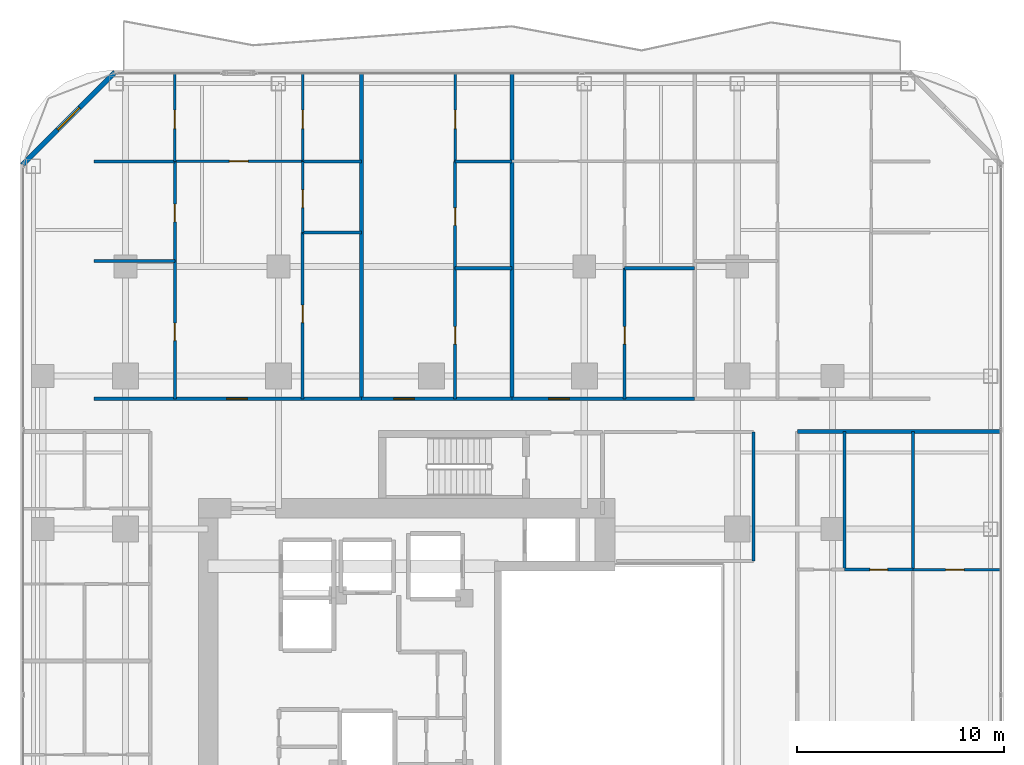
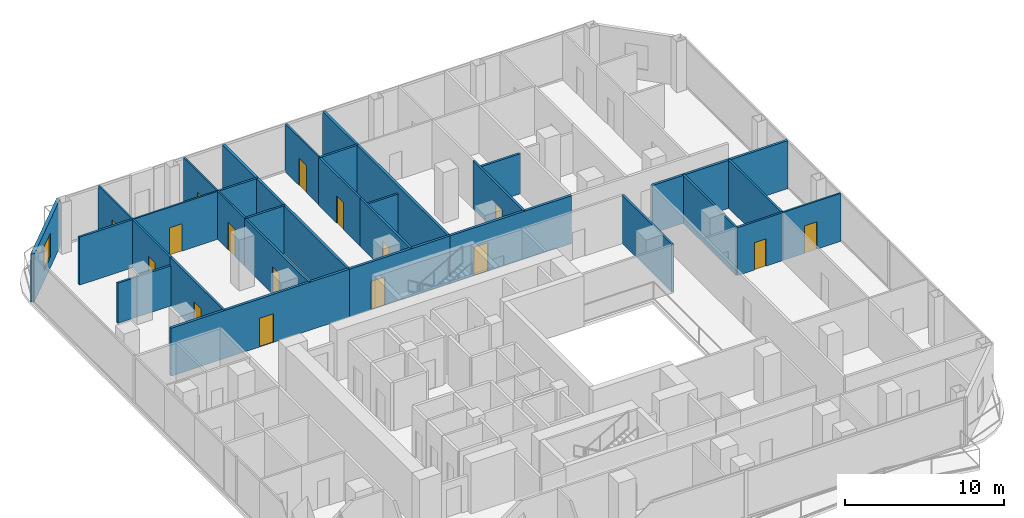
# One storey, part 22 of 26: 30 walls, 16 doors, 1 window, 17 openings.
"""IFC4 building model written with IfcOpenShell, lengths in metres."""

from ifc_helpers import new_model, si_unit, direction, frame, frame_2d, origin, place, context, subcontext, project, spatial, rectangle, extrude, material, layer, layer_set, type_object, element, fill, save


model = new_model("IFC4")

# Units and contexts
model_context = context("Model", 3, precision=1e-05, world=origin(), true_north=direction((0.0, 1.0)))
body_context = subcontext(model_context, "Body", "Model", "MODEL_VIEW")
ifc_project = project(units=[si_unit("LENGTHUNIT", "METRE"), si_unit("AREAUNIT", "SQUARE_METRE"), si_unit("VOLUMEUNIT", "CUBIC_METRE"), si_unit("PLANEANGLEUNIT", "RADIAN"), si_unit("MASSUNIT", "GRAM", prefix="KILO")], contexts=[model_context])

# Site, building, storey
site_placement = place(None, origin())
site = spatial("IfcSite", under=ifc_project, at=site_placement, CompositionType="ELEMENT")
building_placement = place(site_placement, origin())
building = spatial("IfcBuilding", under=site, at=building_placement, Name="Khorvyn Point Tower", CompositionType="ELEMENT")
storey_placement = place(building_placement, frame((0.0, 0.0, 113.39990234375)))
storey = spatial("IfcBuildingStorey", under=building, at=storey_placement, Name="L28", CompositionType="ELEMENT", Elevation=113.39990234375)

# Wall, opening, door
ifc_material_1 = material(Name="Double acoustic gypsum on twin steel stud", Category="steel")
ifc_layer_1 = layer(ifc_material_1, 0.179931640625)
ifc_layer_set_1 = layer_set([ifc_layer_1], Name="Acoustic Double-Stud Apartment Demising Wall 180")
wall_type_1 = type_object("IfcWallType", Name="Acoustic Double-Stud Apartment Demising Wall 180", PredefinedType="PARTITIONING", material=ifc_layer_set_1)
wall_1_placement = place(storey_placement, frame((-16.320068359375, 13.699951171875, 0.0), z_axis=(0.0, 0.0, 1.0), x_axis=(1.0, 0.0, 0.0)))
wall_1 = element("IfcWall", 1, at=wall_1_placement, inside=storey, type_object=wall_type_1, Name="Wall", PredefinedType="PARTITIONING", context=body_context, shape_type="SweptSolid", body=[
    extrude(rectangle(XDim=12.941162109375, YDim=0.179931640625, at=frame_2d((6.470703125, 0.0))), origin(), (0.0, 0.0, 1.0), 3.68017578125),
])
opening_1_placement = place(wall_1_placement, frame((6.41748046875, 0.0, 0.0)))
opening_1 = element("IfcOpeningElement", 2, at=opening_1_placement, cuts=wall_1, Name="Opening ID-AP60", PredefinedType="OPENING", context=body_context, shape_type="SweptSolid", body=[
    extrude(rectangle(XDim=1.0, YDim=2.199951171875, at=frame_2d((0.5, 1.10009765625))), frame((0.0, 0.099853515625, 0.0), z_axis=(0.0, -1.0, 0.0), x_axis=(1.0, 0.0, 0.0)), (0.0, 0.0, 1.0), 0.199951171875),
])
ifc_material_2 = material(Name="Engineered hardwood fire-rated leaf", Category="wood")
door_type_1 = type_object("IfcDoorType", Name="Acoustic Solid-Core Timber Apartment Entrance Door 1000x2200", OperationType="NOTDEFINED", PredefinedType="DOOR", material=ifc_material_2)
door_1_placement = place(opening_1_placement, origin())
door_1 = element("IfcDoor", 3, at=door_1_placement, inside=storey, type_object=door_type_1, Name="Door", OperationType="SINGLE_SWING_RIGHT", OverallHeight=2.199951171875, OverallWidth=1.0, PredefinedType="DOOR", context=body_context, shape_type="SweptSolid", body=[
    extrude(rectangle(XDim=1.0, YDim=2.199951171875, at=frame_2d((0.5, 1.10009765625))), frame((0.0, 0.02490234375, 0.0), z_axis=(0.0, -1.0, 0.0), x_axis=(1.0, 0.0, 0.0)), (0.0, 0.0, 1.0), 0.050048828125),
])
fill(opening_1, door_1)

wall_2_placement = place(storey_placement, frame((-3.37890625, 13.699951171875, 0.0), z_axis=(0.0, 0.0, 1.0), x_axis=(1.0, 0.0, 0.0)))
wall_2 = element("IfcWall", 4, at=wall_2_placement, inside=storey, type_object=wall_type_1, Name="Wall", PredefinedType="PARTITIONING", context=body_context, shape_type="SweptSolid", body=[
    extrude(rectangle(XDim=7.27880859375, YDim=0.179931640625, at=frame_2d((3.639404296875, 0.0))), origin(), (0.0, 0.0, 1.0), 3.68017578125),
])
opening_2_placement = place(wall_2_placement, frame((1.56201171875, 0.0, 0.0)))
opening_2 = element("IfcOpeningElement", 5, at=opening_2_placement, cuts=wall_2, Name="Opening ID-AP60", PredefinedType="OPENING", context=body_context, shape_type="SweptSolid", body=[
    extrude(rectangle(XDim=1.0, YDim=2.199951171875, at=frame_2d((0.5, 1.10009765625))), frame((0.0, 0.099853515625, 0.0), z_axis=(0.0, -1.0, 0.0), x_axis=(1.0, 0.0, 0.0)), (0.0, 0.0, 1.0), 0.199951171875),
])
door_2_placement = place(opening_2_placement, origin())
door_2 = element("IfcDoor", 6, at=door_2_placement, inside=storey, type_object=door_type_1, Name="Door", OperationType="SINGLE_SWING_RIGHT", OverallHeight=2.199951171875, OverallWidth=1.0, PredefinedType="DOOR", context=body_context, shape_type="SweptSolid", body=[
    extrude(rectangle(XDim=1.0, YDim=2.199951171875, at=frame_2d((0.5, 1.10009765625))), frame((0.0, 0.02490234375, 0.0), z_axis=(0.0, -1.0, 0.0), x_axis=(1.0, 0.0, 0.0)), (0.0, 0.0, 1.0), 0.050048828125),
])
fill(opening_2, door_2)

wall_3_placement = place(storey_placement, frame((3.89990234375, 13.699951171875, 0.0), z_axis=(0.0, 0.0, 1.0), x_axis=(1.0, 0.0, 0.0)))
wall_3 = element("IfcWall", 7, at=wall_3_placement, inside=storey, type_object=wall_type_1, Name="Wall", PredefinedType="PARTITIONING", context=body_context, shape_type="SweptSolid", body=[
    extrude(rectangle(XDim=8.836181640625, YDim=0.179931640625, at=frame_2d((4.41796875, 0.0))), origin(), (0.0, 0.0, 1.0), 3.68017578125),
])
opening_3_placement = place(wall_3_placement, frame((1.7705078125, 0.0, 0.0)))
opening_3 = element("IfcOpeningElement", 8, at=opening_3_placement, cuts=wall_3, Name="Opening ID-AP60", PredefinedType="OPENING", context=body_context, shape_type="SweptSolid", body=[
    extrude(rectangle(XDim=1.0, YDim=2.199951171875, at=frame_2d((0.5, 1.10009765625))), frame((0.0, 0.099853515625, 0.0), z_axis=(0.0, -1.0, 0.0), x_axis=(1.0, 0.0, 0.0)), (0.0, 0.0, 1.0), 0.199951171875),
])
door_3_placement = place(opening_3_placement, origin())
door_3 = element("IfcDoor", 9, at=door_3_placement, inside=storey, type_object=door_type_1, Name="Door", OperationType="SINGLE_SWING_RIGHT", OverallHeight=2.199951171875, OverallWidth=1.0, PredefinedType="DOOR", context=body_context, shape_type="SweptSolid", body=[
    extrude(rectangle(XDim=1.0, YDim=2.199951171875, at=frame_2d((0.5, 1.10009765625))), frame((0.0, 0.02490234375, 0.0), z_axis=(0.0, -1.0, 0.0), x_axis=(1.0, 0.0, 0.0)), (0.0, 0.0, 1.0), 0.050048828125),
])
fill(opening_3, door_3)

# Walls
for number, where, z_axis, x_axis, name in (
    (10, (-3.37890625, 13.699951171875, 0.0), (0.0, 0.0, 1.0), (0.0, 1.0, 0.0), "Wall"),
    (11, (3.89990234375, 13.699951171875, 0.0), (0.0, 0.0, 1.0), (0.0, 1.0, 0.0), "Wall"),
):
    element("IfcWall", number, at=place(storey_placement, frame(where, z_axis=z_axis, x_axis=x_axis)), inside=storey, type_object=wall_type_1, Name=name, PredefinedType="PARTITIONING", context=body_context, shape_type="SweptSolid", body=[
        extrude(rectangle(XDim=15.72998046875, YDim=0.179931640625, at=frame_2d((7.864990234375, 0.0))), origin(), (0.0, 0.0, 1.0), 3.68017578125),
    ])
wall_4_placement = place(storey_placement, frame((17.699951171875, 12.1201171875, 0.0), z_axis=(0.0, 0.0, 1.0), x_axis=(1.0, 0.0, 0.0)))
element("IfcWall", 12, at=wall_4_placement, inside=storey, type_object=wall_type_1, Name="Wall", PredefinedType="PARTITIONING", context=body_context, shape_type="SweptSolid", body=[
    extrude(rectangle(XDim=9.830078125, YDim=0.179931640625, at=frame_2d((4.9150390625, 0.0))), origin(), (0.0, 0.0, 1.0), 3.68017578125),
])

# Wall, opening, window
ifc_material_3 = material(Name="Pale anodised aluminium rainscreen on steel stud", Category="steel")
ifc_layer_2 = layer(ifc_material_3, 0.239990234375)
ifc_layer_set_2 = layer_set([ifc_layer_2], Name="Anodised Aluminium Insulated Corner Spandrel Wall 240")
wall_type_2 = type_object("IfcWallType", Name="Anodised Aluminium Insulated Corner Spandrel Wall 240", PredefinedType="SOLIDWALL", material=ifc_layer_set_2)
wall_5_placement = place(storey_placement, frame((-19.79248046875, 25.007568359375, 0.0), z_axis=(0.0, 0.0, 1.0), x_axis=(0.707106781187, 0.707106781187, 0.0)))
wall_5 = element("IfcWall", 13, at=wall_5_placement, inside=storey, type_object=wall_type_2, Name="L28 Rounded Corner Wall NW", PredefinedType="SOLIDWALL", context=body_context, shape_type="SweptSolid", body=[
    extrude(rectangle(XDim=6.342529296875, YDim=0.239990234375, at=frame_2d((3.17138671875, 0.0))), origin(), (0.0, 0.0, 1.0), 3.68017578125),
])
opening_4_placement = place(wall_5_placement, frame((2.42138671875, 0.0, 0.800048828125)))
opening_4 = element("IfcOpeningElement", 14, at=opening_4_placement, cuts=wall_5, Name="Opening WN-1518", PredefinedType="OPENING", context=body_context, shape_type="SweptSolid", body=[
    extrude(rectangle(XDim=1.5, YDim=1.85009765625, at=frame_2d((0.75, 0.925048828125))), frame((0.0, 0.1298828125, 0.0), z_axis=(0.0, -1.0, 0.0), x_axis=(1.0, 0.0, 0.0)), (0.0, 0.0, 1.0), 0.260009765625),
])
ifc_material_4 = material(Name="Anodised aluminium 6063-T6 and laminated Low-E glass", Category="aluminium")
window_type = type_object("IfcWindowType", Name="Anodised Aluminium Rounded-Corner Panoramic Window 1500x1850", PartitioningType="SINGLE_PANEL", PredefinedType="WINDOW", material=ifc_material_4)
window_placement = place(opening_4_placement, origin())
window = element("IfcWindow", 15, at=window_placement, inside=storey, type_object=window_type, Name="L28 Corner Panoramic Window NW", OverallHeight=1.85009765625, OverallWidth=1.5, PartitioningType="SINGLE_PANEL", PredefinedType="WINDOW", context=body_context, shape_type="SweptSolid", body=[
    extrude(rectangle(XDim=1.5, YDim=1.85009765625, at=frame_2d((0.75, 0.925048828125))), frame((0.0, 0.030029296875, 0.0), z_axis=(0.0, -1.0, 0.0), x_axis=(1.0, 0.0, 0.0)), (0.0, 0.0, 1.0), 0.06005859375),
])
fill(opening_4, window)

# Wall, opening, door
ifc_material_5 = material(Name="Gypsum plasterboard on steel stud", Category="steel")
ifc_layer_3 = layer(ifc_material_5, 0.1201171875)
ifc_layer_set_3 = layer_set([ifc_layer_3], Name="Gypsum Acoustic Stud Room Partition Wall 120")
wall_type_3 = type_object("IfcWallType", Name="Gypsum Acoustic Stud Room Partition Wall 120", PredefinedType="PARTITIONING", material=ifc_layer_set_3)
wall_6_placement = place(storey_placement, frame((-12.407958984375, 25.18994140625, 0.0), z_axis=(0.0, 0.0, 1.0), x_axis=(1.0, 0.0, 0.0)))
wall_6 = element("IfcWall", 16, at=wall_6_placement, inside=storey, type_object=wall_type_3, Name="Wall", PredefinedType="PARTITIONING", context=body_context, shape_type="SweptSolid", body=[
    extrude(rectangle(XDim=6.178955078125, YDim=0.1201171875, at=frame_2d((3.08935546875, 0.0))), origin(), (0.0, 0.0, 1.0), 3.68017578125),
])
opening_5_placement = place(wall_6_placement, frame((2.639404296875, 0.0, 0.0)))
opening_5 = element("IfcOpeningElement", 17, at=opening_5_placement, cuts=wall_6, Name="Opening ID-RM90", PredefinedType="OPENING", context=body_context, shape_type="SweptSolid", body=[
    extrude(rectangle(XDim=0.89990234375, YDim=2.10009765625, at=frame_2d((0.449951171875, 1.050048828125))), frame((0.0, 0.070068359375, 0.0), z_axis=(0.0, -1.0, 0.0), x_axis=(1.0, 0.0, 0.0)), (0.0, 0.0, 1.0), 0.14013671875),
])
ifc_material_6 = material(Name="Engineered oak veneer timber", Category="wood")
door_type_2 = type_object("IfcDoorType", Name="Flush Engineered Timber Room Door 900x2100", OperationType="NOTDEFINED", PredefinedType="DOOR", material=ifc_material_6)
door_4_placement = place(opening_5_placement, origin())
door_4 = element("IfcDoor", 18, at=door_4_placement, inside=storey, type_object=door_type_2, Name="Door", OperationType="SINGLE_SWING_LEFT", OverallHeight=2.10009765625, OverallWidth=0.89990234375, PredefinedType="DOOR", context=body_context, shape_type="SweptSolid", body=[
    extrude(rectangle(XDim=0.89990234375, YDim=2.10009765625, at=frame_2d((0.449951171875, 1.050048828125))), frame((0.0, 0.02490234375, 0.0), z_axis=(0.0, -1.0, 0.0), x_axis=(1.0, 0.0, 0.0)), (0.0, 0.0, 1.0), 0.050048828125),
])
fill(opening_5, door_4)

wall_7_placement = place(storey_placement, frame((-12.407958984375, 25.18994140625, 0.0), z_axis=(0.0, 0.0, 1.0), x_axis=(0.0, 1.0, 0.0)))
wall_7 = element("IfcWall", 19, at=wall_7_placement, inside=storey, type_object=wall_type_3, Name="Wall", PredefinedType="PARTITIONING", context=body_context, shape_type="SweptSolid", body=[
    extrude(rectangle(XDim=4.239990234375, YDim=0.1201171875, at=frame_2d((2.1201171875, 0.0))), origin(), (0.0, 0.0, 1.0), 3.68017578125),
])
opening_6_placement = place(wall_7_placement, frame((1.581298828125, 0.0, 0.0)))
opening_6 = element("IfcOpeningElement", 20, at=opening_6_placement, cuts=wall_7, Name="Opening ID-RM90", PredefinedType="OPENING", context=body_context, shape_type="SweptSolid", body=[
    extrude(rectangle(XDim=0.89990234375, YDim=2.10009765625, at=frame_2d((0.449951171875, 1.050048828125))), frame((0.0, 0.070068359375, 0.0), z_axis=(0.0, -1.0, 0.0), x_axis=(1.0, 0.0, 0.0)), (0.0, 0.0, 1.0), 0.14013671875),
])
door_5_placement = place(opening_6_placement, origin())
door_5 = element("IfcDoor", 21, at=door_5_placement, inside=storey, type_object=door_type_2, Name="Door", OperationType="SINGLE_SWING_RIGHT", OverallHeight=2.10009765625, OverallWidth=0.89990234375, PredefinedType="DOOR", context=body_context, shape_type="SweptSolid", body=[
    extrude(rectangle(XDim=0.89990234375, YDim=2.10009765625, at=frame_2d((0.449951171875, 1.050048828125))), frame((0.0, 0.02490234375, 0.0), z_axis=(0.0, -1.0, 0.0), x_axis=(1.0, 0.0, 0.0)), (0.0, 0.0, 1.0), 0.050048828125),
])
fill(opening_6, door_5)

wall_8_placement = place(storey_placement, frame((-6.22900390625, 21.742919921875, 0.0), z_axis=(0.0, 0.0, 1.0), x_axis=(0.0, 1.0, 0.0)))
wall_8 = element("IfcWall", 22, at=wall_8_placement, inside=storey, type_object=wall_type_3, Name="Wall", PredefinedType="PARTITIONING", context=body_context, shape_type="SweptSolid", body=[
    extrude(rectangle(XDim=3.447021484375, YDim=0.1201171875, at=frame_2d((1.7236328125, 0.0))), origin(), (0.0, 0.0, 1.0), 3.68017578125),
])
opening_7_placement = place(wall_8_placement, frame((1.2109375, 0.0, 0.0)))
opening_7 = element("IfcOpeningElement", 23, at=opening_7_placement, cuts=wall_8, Name="Opening ID-WC85", PredefinedType="OPENING", context=body_context, shape_type="SweptSolid", body=[
    extrude(rectangle(XDim=0.85009765625, YDim=2.10009765625, at=frame_2d((0.425048828125, 1.050048828125))), frame((0.0, 0.070068359375, 0.0), z_axis=(0.0, -1.0, 0.0), x_axis=(1.0, 0.0, 0.0)), (0.0, 0.0, 1.0), 0.14013671875),
])
ifc_material_7 = material(Name="High-pressure laminate on moisture-resistant core", Category="wood")
door_type_3 = type_object("IfcDoorType", Name="Moisture-Resistant Accessible Washroom Door 850x2100", OperationType="NOTDEFINED", PredefinedType="DOOR", material=ifc_material_7)
door_6_placement = place(opening_7_placement, origin())
door_6 = element("IfcDoor", 24, at=door_6_placement, inside=storey, type_object=door_type_3, Name="Door", OperationType="SINGLE_SWING_RIGHT", OverallHeight=2.10009765625, OverallWidth=0.85009765625, PredefinedType="DOOR", context=body_context, shape_type="SweptSolid", body=[
    extrude(rectangle(XDim=0.85009765625, YDim=2.10009765625, at=frame_2d((0.425048828125, 1.050048828125))), frame((0.0, 0.02490234375, 0.0), z_axis=(0.0, -1.0, 0.0), x_axis=(1.0, 0.0, 0.0)), (0.0, 0.0, 1.0), 0.050048828125),
])
fill(opening_7, door_6)

wall_9_placement = place(storey_placement, frame((-6.22900390625, 25.18994140625, 0.0), z_axis=(0.0, 0.0, 1.0), x_axis=(0.0, 1.0, 0.0)))
wall_9 = element("IfcWall", 25, at=wall_9_placement, inside=storey, type_object=wall_type_3, Name="Wall", PredefinedType="PARTITIONING", context=body_context, shape_type="SweptSolid", body=[
    extrude(rectangle(XDim=4.239990234375, YDim=0.1201171875, at=frame_2d((2.1201171875, 0.0))), origin(), (0.0, 0.0, 1.0), 3.68017578125),
])
opening_8_placement = place(wall_9_placement, frame((1.581298828125, 0.0, 0.0)))
opening_8 = element("IfcOpeningElement", 26, at=opening_8_placement, cuts=wall_9, Name="Opening ID-RM90", PredefinedType="OPENING", context=body_context, shape_type="SweptSolid", body=[
    extrude(rectangle(XDim=0.89990234375, YDim=2.10009765625, at=frame_2d((0.449951171875, 1.050048828125))), frame((0.0, 0.070068359375, 0.0), z_axis=(0.0, -1.0, 0.0), x_axis=(1.0, 0.0, 0.0)), (0.0, 0.0, 1.0), 0.14013671875),
])
door_7_placement = place(opening_8_placement, origin())
door_7 = element("IfcDoor", 27, at=door_7_placement, inside=storey, type_object=door_type_2, Name="Door", OperationType="SINGLE_SWING_LEFT", OverallHeight=2.10009765625, OverallWidth=0.89990234375, PredefinedType="DOOR", context=body_context, shape_type="SweptSolid", body=[
    extrude(rectangle(XDim=0.89990234375, YDim=2.10009765625, at=frame_2d((0.449951171875, 1.050048828125))), frame((0.0, 0.02490234375, 0.0), z_axis=(0.0, -1.0, 0.0), x_axis=(1.0, 0.0, 0.0)), (0.0, 0.0, 1.0), 0.050048828125),
])
fill(opening_8, door_7)

wall_10_placement = place(storey_placement, frame((1.14990234375, 25.18994140625, 0.0), z_axis=(0.0, 0.0, 1.0), x_axis=(0.0, 1.0, 0.0)))
wall_10 = element("IfcWall", 28, at=wall_10_placement, inside=storey, type_object=wall_type_3, Name="Wall", PredefinedType="PARTITIONING", context=body_context, shape_type="SweptSolid", body=[
    extrude(rectangle(XDim=4.239990234375, YDim=0.1201171875, at=frame_2d((2.1201171875, 0.0))), origin(), (0.0, 0.0, 1.0), 3.68017578125),
])
opening_9_placement = place(wall_10_placement, frame((1.581298828125, 0.0, 0.0)))
opening_9 = element("IfcOpeningElement", 29, at=opening_9_placement, cuts=wall_10, Name="Opening ID-RM90", PredefinedType="OPENING", context=body_context, shape_type="SweptSolid", body=[
    extrude(rectangle(XDim=0.89990234375, YDim=2.10009765625, at=frame_2d((0.449951171875, 1.050048828125))), frame((0.0, 0.070068359375, 0.0), z_axis=(0.0, -1.0, 0.0), x_axis=(1.0, 0.0, 0.0)), (0.0, 0.0, 1.0), 0.14013671875),
])
door_8_placement = place(opening_9_placement, origin())
door_8 = element("IfcDoor", 30, at=door_8_placement, inside=storey, type_object=door_type_2, Name="Door", OperationType="SINGLE_SWING_LEFT", OverallHeight=2.10009765625, OverallWidth=0.89990234375, PredefinedType="DOOR", context=body_context, shape_type="SweptSolid", body=[
    extrude(rectangle(XDim=0.89990234375, YDim=2.10009765625, at=frame_2d((0.449951171875, 1.050048828125))), frame((0.0, 0.02490234375, 0.0), z_axis=(0.0, -1.0, 0.0), x_axis=(1.0, 0.0, 0.0)), (0.0, 0.0, 1.0), 0.050048828125),
])
fill(opening_9, door_8)

wall_11_placement = place(storey_placement, frame((23.2900390625, 5.43603515625, 0.0), z_axis=(0.0, 0.0, 1.0), x_axis=(1.0, 0.0, 0.0)))
wall_11 = element("IfcWall", 31, at=wall_11_placement, inside=storey, type_object=wall_type_3, Name="Wall", PredefinedType="PARTITIONING", context=body_context, shape_type="SweptSolid", body=[
    extrude(rectangle(XDim=4.239990234375, YDim=0.1201171875, at=frame_2d((2.1201171875, 0.0))), origin(), (0.0, 0.0, 1.0), 3.68017578125),
])
opening_10_placement = place(wall_11_placement, frame((1.581298828125, 0.0, 0.0)))
opening_10 = element("IfcOpeningElement", 32, at=opening_10_placement, cuts=wall_11, Name="Opening ID-RM90", PredefinedType="OPENING", context=body_context, shape_type="SweptSolid", body=[
    extrude(rectangle(XDim=0.89990234375, YDim=2.10009765625, at=frame_2d((0.449951171875, 1.050048828125))), frame((0.0, 0.070068359375, 0.0), z_axis=(0.0, -1.0, 0.0), x_axis=(1.0, 0.0, 0.0)), (0.0, 0.0, 1.0), 0.14013671875),
])
door_9_placement = place(opening_10_placement, origin())
door_9 = element("IfcDoor", 33, at=door_9_placement, inside=storey, type_object=door_type_2, Name="Door", OperationType="SINGLE_SWING_RIGHT", OverallHeight=2.10009765625, OverallWidth=0.89990234375, PredefinedType="DOOR", context=body_context, shape_type="SweptSolid", body=[
    extrude(rectangle(XDim=0.89990234375, YDim=2.10009765625, at=frame_2d((0.449951171875, 1.050048828125))), frame((0.0, 0.02490234375, 0.0), z_axis=(0.0, -1.0, 0.0), x_axis=(1.0, 0.0, 0.0)), (0.0, 0.0, 1.0), 0.050048828125),
])
fill(opening_10, door_9)

ifc_material_8 = material(Name="Moisture-resistant gypsum and cement board", Category="gypsum")
ifc_layer_4 = layer(ifc_material_8, 0.14990234375)
ifc_layer_set_4 = layer_set([ifc_layer_4], Name="Moisture-Resistant Wet-Room Partition Wall 150")
wall_type_4 = type_object("IfcWallType", Name="Moisture-Resistant Wet-Room Partition Wall 150", PredefinedType="PARTITIONING", material=ifc_layer_set_4)
wall_12_placement = place(storey_placement, frame((-12.407958984375, 13.699951171875, 0.0), z_axis=(0.0, 0.0, 1.0), x_axis=(0.0, 1.0, 0.0)))
wall_12 = element("IfcWall", 34, at=wall_12_placement, inside=storey, type_object=wall_type_4, Name="Wall", PredefinedType="PARTITIONING", context=body_context, shape_type="SweptSolid", body=[
    extrude(rectangle(XDim=6.6640625, YDim=0.14990234375, at=frame_2d((3.33203125, 0.0))), origin(), (0.0, 0.0, 1.0), 3.68017578125),
])
opening_11_placement = place(wall_12_placement, frame((2.818359375, 0.0, 0.0)))
opening_11 = element("IfcOpeningElement", 35, at=opening_11_placement, cuts=wall_12, Name="Opening ID-WC85", PredefinedType="OPENING", context=body_context, shape_type="SweptSolid", body=[
    extrude(rectangle(XDim=0.85009765625, YDim=2.10009765625, at=frame_2d((0.425048828125, 1.050048828125))), frame((0.0, 0.0849609375, 0.0), z_axis=(0.0, -1.0, 0.0), x_axis=(1.0, 0.0, 0.0)), (0.0, 0.0, 1.0), 0.169921875),
])
door_10_placement = place(opening_11_placement, origin())
door_10 = element("IfcDoor", 36, at=door_10_placement, inside=storey, type_object=door_type_3, Name="Door", OperationType="SINGLE_SWING_RIGHT", OverallHeight=2.10009765625, OverallWidth=0.85009765625, PredefinedType="DOOR", context=body_context, shape_type="SweptSolid", body=[
    extrude(rectangle(XDim=0.85009765625, YDim=2.10009765625, at=frame_2d((0.425048828125, 1.050048828125))), frame((0.0, 0.02490234375, 0.0), z_axis=(0.0, -1.0, 0.0), x_axis=(1.0, 0.0, 0.0)), (0.0, 0.0, 1.0), 0.050048828125),
])
fill(opening_11, door_10)

wall_13_placement = place(storey_placement, frame((-12.407958984375, 20.364013671875, 0.0), z_axis=(0.0, 0.0, 1.0), x_axis=(0.0, 1.0, 0.0)))
wall_13 = element("IfcWall", 37, at=wall_13_placement, inside=storey, type_object=wall_type_4, Name="Wall", PredefinedType="PARTITIONING", context=body_context, shape_type="SweptSolid", body=[
    extrude(rectangle(XDim=4.825927734375, YDim=0.14990234375, at=frame_2d((2.4130859375, 0.0))), origin(), (0.0, 0.0, 1.0), 3.68017578125),
])
opening_12_placement = place(wall_13_placement, frame((1.90087890625, 0.0, 0.0)))
opening_12 = element("IfcOpeningElement", 38, at=opening_12_placement, cuts=wall_13, Name="Opening ID-WC85", PredefinedType="OPENING", context=body_context, shape_type="SweptSolid", body=[
    extrude(rectangle(XDim=0.85009765625, YDim=2.10009765625, at=frame_2d((0.425048828125, 1.050048828125))), frame((0.0, 0.0849609375, 0.0), z_axis=(0.0, -1.0, 0.0), x_axis=(1.0, 0.0, 0.0)), (0.0, 0.0, 1.0), 0.169921875),
])
door_11_placement = place(opening_12_placement, origin())
door_11 = element("IfcDoor", 39, at=door_11_placement, inside=storey, type_object=door_type_3, Name="Door", OperationType="SINGLE_SWING_LEFT", OverallHeight=2.10009765625, OverallWidth=0.85009765625, PredefinedType="DOOR", context=body_context, shape_type="SweptSolid", body=[
    extrude(rectangle(XDim=0.85009765625, YDim=2.10009765625, at=frame_2d((0.425048828125, 1.050048828125))), frame((0.0, 0.02490234375, 0.0), z_axis=(0.0, -1.0, 0.0), x_axis=(1.0, 0.0, 0.0)), (0.0, 0.0, 1.0), 0.050048828125),
])
fill(opening_12, door_11)

wall_14_placement = place(storey_placement, frame((-6.22900390625, 13.699951171875, 0.0), z_axis=(0.0, 0.0, 1.0), x_axis=(0.0, 1.0, 0.0)))
wall_14 = element("IfcWall", 40, at=wall_14_placement, inside=storey, type_object=wall_type_4, Name="Wall", PredefinedType="PARTITIONING", context=body_context, shape_type="SweptSolid", body=[
    extrude(rectangle(XDim=8.04296875, YDim=0.14990234375, at=frame_2d((4.021484375, 0.0))), origin(), (0.0, 0.0, 1.0), 3.68017578125),
])
opening_13_placement = place(wall_14_placement, frame((3.6845703125, 0.0, 0.0)))
opening_13 = element("IfcOpeningElement", 41, at=opening_13_placement, cuts=wall_14, Name="Opening ID-WC85", PredefinedType="OPENING", context=body_context, shape_type="SweptSolid", body=[
    extrude(rectangle(XDim=0.85009765625, YDim=2.10009765625, at=frame_2d((0.425048828125, 1.050048828125))), frame((0.0, 0.0849609375, 0.0), z_axis=(0.0, -1.0, 0.0), x_axis=(1.0, 0.0, 0.0)), (0.0, 0.0, 1.0), 0.169921875),
])
door_12_placement = place(opening_13_placement, origin())
door_12 = element("IfcDoor", 42, at=door_12_placement, inside=storey, type_object=door_type_3, Name="Door", OperationType="SINGLE_SWING_LEFT", OverallHeight=2.10009765625, OverallWidth=0.85009765625, PredefinedType="DOOR", context=body_context, shape_type="SweptSolid", body=[
    extrude(rectangle(XDim=0.85009765625, YDim=2.10009765625, at=frame_2d((0.425048828125, 1.050048828125))), frame((0.0, 0.02490234375, 0.0), z_axis=(0.0, -1.0, 0.0), x_axis=(1.0, 0.0, 0.0)), (0.0, 0.0, 1.0), 0.050048828125),
])
fill(opening_13, door_12)

wall_15_placement = place(storey_placement, frame((1.14990234375, 13.699951171875, 0.0), z_axis=(0.0, 0.0, 1.0), x_axis=(0.0, 1.0, 0.0)))
wall_15 = element("IfcWall", 43, at=wall_15_placement, inside=storey, type_object=wall_type_4, Name="Wall", PredefinedType="PARTITIONING", context=body_context, shape_type="SweptSolid", body=[
    extrude(rectangle(XDim=6.320068359375, YDim=0.14990234375, at=frame_2d((3.16015625, 0.0))), origin(), (0.0, 0.0, 1.0), 3.68017578125),
])
opening_14_placement = place(wall_15_placement, frame((2.646240234375, 0.0, 0.0)))
opening_14 = element("IfcOpeningElement", 44, at=opening_14_placement, cuts=wall_15, Name="Opening ID-WC85", PredefinedType="OPENING", context=body_context, shape_type="SweptSolid", body=[
    extrude(rectangle(XDim=0.85009765625, YDim=2.10009765625, at=frame_2d((0.425048828125, 1.050048828125))), frame((0.0, 0.0849609375, 0.0), z_axis=(0.0, -1.0, 0.0), x_axis=(1.0, 0.0, 0.0)), (0.0, 0.0, 1.0), 0.169921875),
])
door_13_placement = place(opening_14_placement, origin())
door_13 = element("IfcDoor", 45, at=door_13_placement, inside=storey, type_object=door_type_3, Name="Door", OperationType="SINGLE_SWING_LEFT", OverallHeight=2.10009765625, OverallWidth=0.85009765625, PredefinedType="DOOR", context=body_context, shape_type="SweptSolid", body=[
    extrude(rectangle(XDim=0.85009765625, YDim=2.10009765625, at=frame_2d((0.425048828125, 1.050048828125))), frame((0.0, 0.02490234375, 0.0), z_axis=(0.0, -1.0, 0.0), x_axis=(1.0, 0.0, 0.0)), (0.0, 0.0, 1.0), 0.050048828125),
])
fill(opening_14, door_13)

wall_16_placement = place(storey_placement, frame((1.14990234375, 20.02001953125, 0.0), z_axis=(0.0, 0.0, 1.0), x_axis=(0.0, 1.0, 0.0)))
wall_16 = element("IfcWall", 46, at=wall_16_placement, inside=storey, type_object=wall_type_4, Name="Wall", PredefinedType="PARTITIONING", context=body_context, shape_type="SweptSolid", body=[
    extrude(rectangle(XDim=5.169921875, YDim=0.14990234375, at=frame_2d((2.5849609375, 0.0))), origin(), (0.0, 0.0, 1.0), 3.68017578125),
])
opening_15_placement = place(wall_16_placement, frame((2.072998046875, 0.0, 0.0)))
opening_15 = element("IfcOpeningElement", 47, at=opening_15_placement, cuts=wall_16, Name="Opening ID-WC85", PredefinedType="OPENING", context=body_context, shape_type="SweptSolid", body=[
    extrude(rectangle(XDim=0.85009765625, YDim=2.10009765625, at=frame_2d((0.425048828125, 1.050048828125))), frame((0.0, 0.0849609375, 0.0), z_axis=(0.0, -1.0, 0.0), x_axis=(1.0, 0.0, 0.0)), (0.0, 0.0, 1.0), 0.169921875),
])
door_14_placement = place(opening_15_placement, origin())
door_14 = element("IfcDoor", 48, at=door_14_placement, inside=storey, type_object=door_type_3, Name="Door", OperationType="SINGLE_SWING_RIGHT", OverallHeight=2.10009765625, OverallWidth=0.85009765625, PredefinedType="DOOR", context=body_context, shape_type="SweptSolid", body=[
    extrude(rectangle(XDim=0.85009765625, YDim=2.10009765625, at=frame_2d((0.425048828125, 1.050048828125))), frame((0.0, 0.02490234375, 0.0), z_axis=(0.0, -1.0, 0.0), x_axis=(1.0, 0.0, 0.0)), (0.0, 0.0, 1.0), 0.050048828125),
])
fill(opening_15, door_14)

wall_17_placement = place(storey_placement, frame((9.35107421875, 13.699951171875, 0.0), z_axis=(0.0, 0.0, 1.0), x_axis=(0.0, 1.0, 0.0)))
wall_17 = element("IfcWall", 49, at=wall_17_placement, inside=storey, type_object=wall_type_4, Name="Wall", PredefinedType="PARTITIONING", context=body_context, shape_type="SweptSolid", body=[
    extrude(rectangle(XDim=6.320068359375, YDim=0.14990234375, at=frame_2d((3.16015625, 0.0))), origin(), (0.0, 0.0, 1.0), 3.68017578125),
])
opening_16_placement = place(wall_17_placement, frame((2.646240234375, 0.0, 0.0)))
opening_16 = element("IfcOpeningElement", 50, at=opening_16_placement, cuts=wall_17, Name="Opening ID-WC85", PredefinedType="OPENING", context=body_context, shape_type="SweptSolid", body=[
    extrude(rectangle(XDim=0.85009765625, YDim=2.10009765625, at=frame_2d((0.425048828125, 1.050048828125))), frame((0.0, 0.0849609375, 0.0), z_axis=(0.0, -1.0, 0.0), x_axis=(1.0, 0.0, 0.0)), (0.0, 0.0, 1.0), 0.169921875),
])
door_15_placement = place(opening_16_placement, origin())
door_15 = element("IfcDoor", 51, at=door_15_placement, inside=storey, type_object=door_type_3, Name="Door", OperationType="SINGLE_SWING_RIGHT", OverallHeight=2.10009765625, OverallWidth=0.85009765625, PredefinedType="DOOR", context=body_context, shape_type="SweptSolid", body=[
    extrude(rectangle(XDim=0.85009765625, YDim=2.10009765625, at=frame_2d((0.425048828125, 1.050048828125))), frame((0.0, 0.02490234375, 0.0), z_axis=(0.0, -1.0, 0.0), x_axis=(1.0, 0.0, 0.0)), (0.0, 0.0, 1.0), 0.050048828125),
])
fill(opening_16, door_15)

wall_18_placement = place(storey_placement, frame((19.991943359375, 5.43603515625, 0.0), z_axis=(0.0, 0.0, 1.0), x_axis=(1.0, 0.0, 0.0)))
wall_18 = element("IfcWall", 52, at=wall_18_placement, inside=storey, type_object=wall_type_4, Name="Wall", PredefinedType="PARTITIONING", context=body_context, shape_type="SweptSolid", body=[
    extrude(rectangle(XDim=3.298095703125, YDim=0.14990234375, at=frame_2d((1.64892578125, 0.0))), origin(), (0.0, 0.0, 1.0), 3.68017578125),
])
opening_17_placement = place(wall_18_placement, frame((1.22412109375, 0.0, 0.0)))
opening_17 = element("IfcOpeningElement", 53, at=opening_17_placement, cuts=wall_18, Name="Opening ID-WC85", PredefinedType="OPENING", context=body_context, shape_type="SweptSolid", body=[
    extrude(rectangle(XDim=0.85009765625, YDim=2.10009765625, at=frame_2d((0.425048828125, 1.050048828125))), frame((0.0, 0.0849609375, 0.0), z_axis=(0.0, -1.0, 0.0), x_axis=(1.0, 0.0, 0.0)), (0.0, 0.0, 1.0), 0.169921875),
])
door_16_placement = place(opening_17_placement, origin())
door_16 = element("IfcDoor", 54, at=door_16_placement, inside=storey, type_object=door_type_3, Name="Door", OperationType="SINGLE_SWING_LEFT", OverallHeight=2.10009765625, OverallWidth=0.85009765625, PredefinedType="DOOR", context=body_context, shape_type="SweptSolid", body=[
    extrude(rectangle(XDim=0.85009765625, YDim=2.10009765625, at=frame_2d((0.425048828125, 1.050048828125))), frame((0.0, 0.02490234375, 0.0), z_axis=(0.0, -1.0, 0.0), x_axis=(1.0, 0.0, 0.0)), (0.0, 0.0, 1.0), 0.050048828125),
])
fill(opening_17, door_16)

# Walls
wall_19_placement = place(storey_placement, frame((15.580078125, 5.85009765625, 0.0), z_axis=(0.0, 0.0, 1.0), x_axis=(0.0, 1.0, 0.0)))
element("IfcWall", 55, at=wall_19_placement, inside=storey, type_object=wall_type_4, Name="Wall", PredefinedType="PARTITIONING", context=body_context, shape_type="SweptSolid", body=[
    extrude(rectangle(XDim=6.25, YDim=0.14990234375, at=frame_2d((3.125, 0.0))), origin(), (0.0, 0.0, 1.0), 3.68017578125),
])
wall_20_placement = place(storey_placement, frame((-16.320068359375, 20.364013671875, 0.0), z_axis=(0.0, 0.0, 1.0), x_axis=(1.0, 0.0, 0.0)))
element("IfcWall", 56, at=wall_20_placement, inside=storey, type_object=wall_type_4, Name="Wall", PredefinedType="PARTITIONING", context=body_context, shape_type="SweptSolid", body=[
    extrude(rectangle(XDim=3.912109375, YDim=0.14990234375, at=frame_2d((1.9560546875, 0.0))), origin(), (0.0, 0.0, 1.0), 3.08203125),
])
wall_21_placement = place(storey_placement, frame((-16.320068359375, 25.18994140625, 0.0), z_axis=(0.0, 0.0, 1.0), x_axis=(1.0, 0.0, 0.0)))
element("IfcWall", 57, at=wall_21_placement, inside=storey, type_object=wall_type_4, Name="Wall", PredefinedType="PARTITIONING", context=body_context, shape_type="SweptSolid", body=[
    extrude(rectangle(XDim=3.912109375, YDim=0.14990234375, at=frame_2d((1.9560546875, 0.0))), origin(), (0.0, 0.0, 1.0), 3.68017578125),
])
for number, where, z_axis, x_axis, name in (
    (58, (-6.22900390625, 21.742919921875, 0.0), (0.0, 0.0, 1.0), (1.0, 0.0, 0.0), "Wall"),
    (59, (-6.22900390625, 25.18994140625, 0.0), (0.0, 0.0, 1.0), (1.0, 0.0, 0.0), "Wall"),
):
    element("IfcWall", number, at=place(storey_placement, frame(where, z_axis=z_axis, x_axis=x_axis)), inside=storey, type_object=wall_type_4, Name=name, PredefinedType="PARTITIONING", context=body_context, shape_type="SweptSolid", body=[
        extrude(rectangle(XDim=2.85009765625, YDim=0.14990234375, at=frame_2d((1.425048828125, 0.0))), origin(), (0.0, 0.0, 1.0), 3.68017578125),
    ])
wall_22_placement = place(storey_placement, frame((1.14990234375, 20.02001953125, 0.0), z_axis=(0.0, 0.0, 1.0), x_axis=(1.0, 0.0, 0.0)))
element("IfcWall", 60, at=wall_22_placement, inside=storey, type_object=wall_type_4, Name="Wall", PredefinedType="PARTITIONING", context=body_context, shape_type="SweptSolid", body=[
    extrude(rectangle(XDim=2.75, YDim=0.14990234375, at=frame_2d((1.375, 0.0))), origin(), (0.0, 0.0, 1.0), 3.08203125),
])
wall_23_placement = place(storey_placement, frame((1.14990234375, 25.18994140625, 0.0), z_axis=(0.0, 0.0, 1.0), x_axis=(1.0, 0.0, 0.0)))
element("IfcWall", 61, at=wall_23_placement, inside=storey, type_object=wall_type_4, Name="Wall", PredefinedType="PARTITIONING", context=body_context, shape_type="SweptSolid", body=[
    extrude(rectangle(XDim=2.75, YDim=0.14990234375, at=frame_2d((1.375, 0.0))), origin(), (0.0, 0.0, 1.0), 3.68017578125),
])
wall_24_placement = place(storey_placement, frame((9.35107421875, 20.02001953125, 0.0), z_axis=(0.0, 0.0, 1.0), x_axis=(1.0, 0.0, 0.0)))
element("IfcWall", 62, at=wall_24_placement, inside=storey, type_object=wall_type_4, Name="Wall", PredefinedType="PARTITIONING", context=body_context, shape_type="SweptSolid", body=[
    extrude(rectangle(XDim=3.385009765625, YDim=0.14990234375, at=frame_2d((1.6923828125, 0.0))), origin(), (0.0, 0.0, 1.0), 3.08203125),
])
for number, where, z_axis, x_axis, name in (
    (63, (19.991943359375, 5.43603515625, 0.0), (0.0, 0.0, 1.0), (0.0, 1.0, 0.0), "Wall"),
    (64, (23.2900390625, 5.43603515625, 0.0), (0.0, 0.0, 1.0), (0.0, 1.0, 0.0), "Wall"),
):
    element("IfcWall", number, at=place(storey_placement, frame(where, z_axis=z_axis, x_axis=x_axis)), inside=storey, type_object=wall_type_4, Name=name, PredefinedType="PARTITIONING", context=body_context, shape_type="SweptSolid", body=[
        extrude(rectangle(XDim=6.68408203125, YDim=0.14990234375, at=frame_2d((3.342041015625, 0.0))), origin(), (0.0, 0.0, 1.0), 3.68017578125),
    ])

save(model, "model.ifc")
